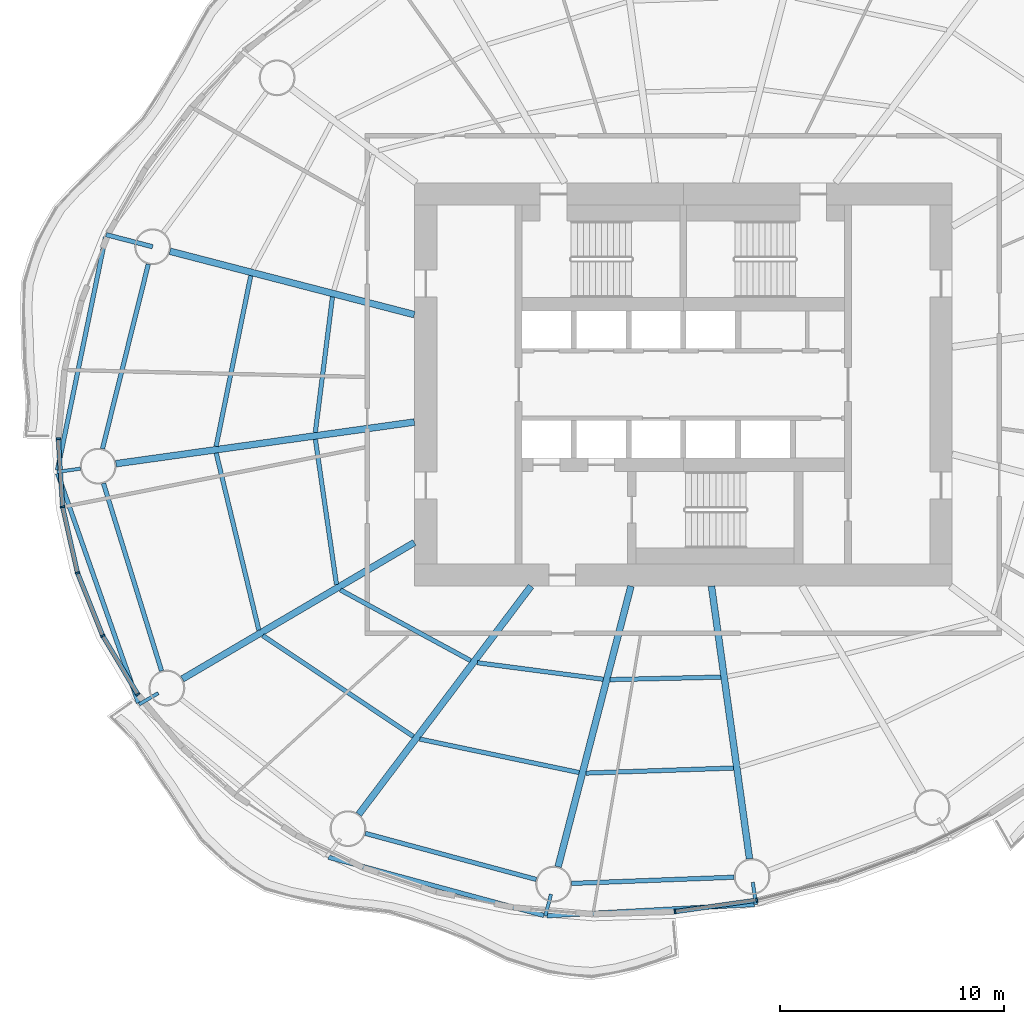
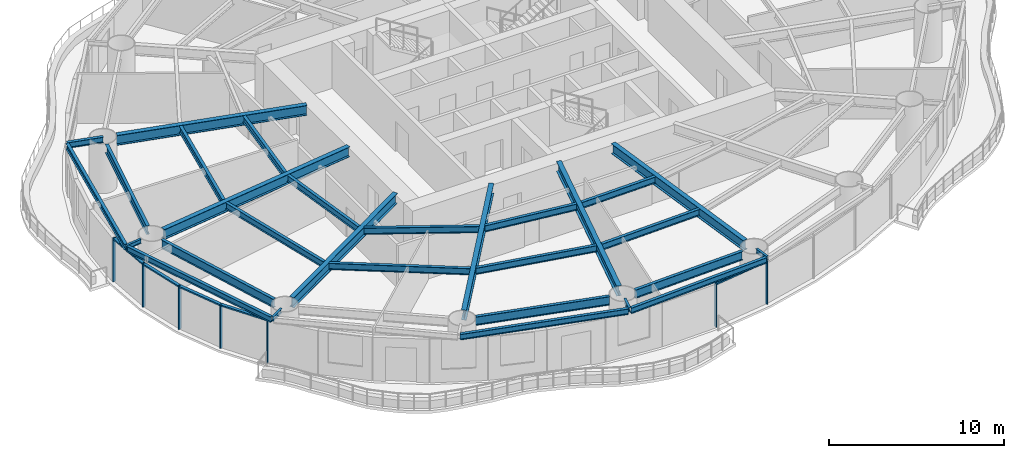
# One storey, part 2 of 16: 29 beams, 12 members, 6 elements without a shape of their own.
"""IFC4 building model written with IfcOpenShell, lengths in metres."""

from ifc_helpers import new_model, si_unit, direction, frame, origin, origin_2d, place, context, subcontext, project, spatial, rectangle, i_section, extrude, material, material_profile, profile_set, type_object, element, aggregate, save


model = new_model("IFC4")

# Units and contexts
model_context = context("Model", 3, precision=1e-05, world=origin(), true_north=direction((0.0, 1.0)))
body_context = subcontext(model_context, "Body", "Model", "MODEL_VIEW")
ifc_project = project(units=[si_unit("LENGTHUNIT", "METRE"), si_unit("AREAUNIT", "SQUARE_METRE"), si_unit("VOLUMEUNIT", "CUBIC_METRE"), si_unit("PLANEANGLEUNIT", "RADIAN"), si_unit("MASSUNIT", "GRAM", prefix="KILO")], contexts=[model_context])

# Site, building, storey
site_placement = place(None, origin())
site = spatial("IfcSite", under=ifc_project, at=site_placement, CompositionType="ELEMENT")
building_placement = place(site_placement, origin())
building = spatial("IfcBuilding", under=site, at=building_placement, Name="Vermilion Reach Broadcast Tower", CompositionType="ELEMENT")
storey_placement = place(building_placement, frame((0.0, 0.0, 103.0)))
storey = spatial("IfcBuildingStorey", under=building, at=storey_placement, Name="L23", CompositionType="ELEMENT", Elevation=103.0)

# Beams
ifc_material_1 = material(Name="Steel S355J2", Category="steel")
ifc_material_profile_1 = material_profile(ifc_material_1, i_section(OverallWidth=0.199951171875, OverallDepth=0.39990234375, WebThickness=0.008056640625, FlangeThickness=0.012939453125, at=origin_2d()), Name="S355J2 HN 400x200x8x13")
ifc_profile_set_1 = profile_set([ifc_material_profile_1], Name="Steel S355J2")
beam_type_1 = type_object("IfcBeamType", Name="EB2 HN 400x200x8x13", PredefinedType="BEAM", material=ifc_profile_set_1)
beam_1_placement = place(storey_placement, frame((-31.7783203125, 6.58740234375, 3.25), z_axis=(-0.201942572972, -0.979397364312, 0.0), x_axis=(0.979397364312, -0.201942572972, 0.0)))
element("IfcBeam", 1, at=beam_1_placement, inside=storey, type_object=beam_type_1, Name="Edge beam EB2-07", PredefinedType="BEAM", context=body_context, shape_type="SweptSolid", body=[
    extrude(i_section(OverallWidth=0.199951171875, OverallDepth=0.39990234375, WebThickness=0.008056640625, FlangeThickness=0.012939453125, at=origin_2d()), origin(), (0.0, 0.0, 1.0), 10.63037109375),
])
beam_2_placement = place(storey_placement, frame((-33.915771484375, -3.97412109375, 3.25), z_axis=(0.332178422681, -0.943216568719, 0.0), x_axis=(0.943216568719, 0.332178422681, 0.0)))
element("IfcBeam", 2, at=beam_2_placement, inside=storey, type_object=beam_type_1, Name="Edge beam EB2-08", PredefinedType="BEAM", context=body_context, shape_type="SweptSolid", body=[
    extrude(i_section(OverallWidth=0.199951171875, OverallDepth=0.39990234375, WebThickness=0.008056640625, FlangeThickness=0.012939453125, at=origin_2d()), origin(), (0.0, 0.0, 1.0), 10.847412109375),
])
beam_3_placement = place(storey_placement, frame((-21.830322265625, -21.093994140625, 3.25), z_axis=(0.965297544198, -0.261152543862, 0.0), x_axis=(0.261152543862, 0.965297544198, 0.0)))
element("IfcBeam", 3, at=beam_3_placement, inside=storey, type_object=beam_type_1, Name="Edge beam EB2-10", PredefinedType="BEAM", context=body_context, shape_type="SweptSolid", body=[
    extrude(i_section(OverallWidth=0.199951171875, OverallDepth=0.39990234375, WebThickness=0.008056640625, FlangeThickness=0.012939453125, at=origin_2d()), origin(), (0.0, 0.0, 1.0), 9.94873046875),
])
beam_4_placement = place(storey_placement, frame((-12.07568359375, -23.70751953125, 3.25), z_axis=(0.998527942842, 0.054239721281, 0.0), x_axis=(-0.054239721281, 0.998527942842, 0.0)))
element("IfcBeam", 4, at=beam_4_placement, inside=storey, type_object=beam_type_1, Name="Edge beam EB2-11", PredefinedType="BEAM", context=body_context, shape_type="SweptSolid", body=[
    extrude(i_section(OverallWidth=0.199951171875, OverallDepth=0.39990234375, WebThickness=0.008056640625, FlangeThickness=0.012939453125, at=origin_2d()), origin(), (0.0, 0.0, 1.0), 9.25439453125),
])
ifc_material_2 = material(Name="Steel S355J2", Category="steel")
ifc_material_profile_2 = material_profile(ifc_material_2, i_section(OverallWidth=0.300048828125, OverallDepth=0.699951171875, WebThickness=0.012939453125, FlangeThickness=0.02392578125, at=origin_2d()), Name="S355J2 HN 700x300x13x24")
ifc_profile_set_2 = profile_set([ifc_material_profile_2], Name="Steel S355J2")
beam_type_2 = type_object("IfcBeamType", Name="G2 HN 700x300x13x24", PredefinedType="BEAM", material=ifc_profile_set_2)
beam_5_placement = place(storey_placement, frame((-18.0, 3.114501953125, 3.10009765625), z_axis=(-0.967926079816, 0.2512351568, 0.0), x_axis=(-0.2512351568, -0.967926079816, 0.0)))
element("IfcBeam", 5, at=beam_5_placement, inside=storey, type_object=beam_type_2, Name="Girder G2-07", PredefinedType="BEAM", context=body_context, shape_type="SweptSolid", body=[
    extrude(i_section(OverallWidth=0.300048828125, OverallDepth=0.699951171875, WebThickness=0.012939453125, FlangeThickness=0.02392578125, at=origin_2d()), origin(), (0.0, 0.0, 1.0), 11.265625),
])
beam_6_placement = place(storey_placement, frame((-18.0, -1.67578125, 3.10009765625), z_axis=(-0.990389457618, -0.138306623986, 0.0), x_axis=(0.138306623986, -0.990389457618, 0.0)))
element("IfcBeam", 6, at=beam_6_placement, inside=storey, type_object=beam_type_2, Name="Girder G2-08", PredefinedType="BEAM", context=body_context, shape_type="SweptSolid", body=[
    extrude(i_section(OverallWidth=0.300048828125, OverallDepth=0.699951171875, WebThickness=0.012939453125, FlangeThickness=0.02392578125, at=origin_2d()), origin(), (0.0, 0.0, 1.0), 13.445556640625),
])
beam_7_placement = place(storey_placement, frame((-18.0, -7.054443359375, 3.10009765625), z_axis=(-0.862071616631, -0.506786471603, 0.0), x_axis=(0.506786471603, -0.862071616631, 0.0)))
element("IfcBeam", 7, at=beam_7_placement, inside=storey, type_object=beam_type_2, Name="Girder G2-09", PredefinedType="BEAM", context=body_context, shape_type="SweptSolid", body=[
    extrude(i_section(OverallWidth=0.300048828125, OverallDepth=0.699951171875, WebThickness=0.012939453125, FlangeThickness=0.02392578125, at=origin_2d()), origin(), (0.0, 0.0, 1.0), 12.01025390625),
])
beam_8_placement = place(storey_placement, frame((-12.794189453125, -9.0, 3.10009765625), z_axis=(-0.602519842365, -0.798103902733, 0.0), x_axis=(0.798103902733, -0.602519842365, 0.0)))
element("IfcBeam", 8, at=beam_8_placement, inside=storey, type_object=beam_type_2, Name="Girder G2-10", PredefinedType="BEAM", context=body_context, shape_type="SweptSolid", body=[
    extrude(i_section(OverallWidth=0.300048828125, OverallDepth=0.699951171875, WebThickness=0.012939453125, FlangeThickness=0.02392578125, at=origin_2d()), origin(), (0.0, 0.0, 1.0), 12.758544921875),
])
beam_9_placement = place(storey_placement, frame((-8.3359375, -9.0, 3.10009765625), z_axis=(-0.25121695316, -0.967930804575, 0.0), x_axis=(0.967930804575, -0.25121695316, 0.0)))
element("IfcBeam", 9, at=beam_9_placement, inside=storey, type_object=beam_type_2, Name="Girder G2-11", PredefinedType="BEAM", context=body_context, shape_type="SweptSolid", body=[
    extrude(i_section(OverallWidth=0.300048828125, OverallDepth=0.699951171875, WebThickness=0.012939453125, FlangeThickness=0.02392578125, at=origin_2d()), origin(), (0.0, 0.0, 1.0), 12.93505859375),
])
beam_10_placement = place(storey_placement, frame((-4.7431640625, -9.0, 3.10009765625), z_axis=(0.138317561234, -0.990387930184, 0.0), x_axis=(0.990387930184, 0.138317561234, 0.0)))
element("IfcBeam", 10, at=beam_10_placement, inside=storey, type_object=beam_type_2, Name="Girder G2-12", PredefinedType="BEAM", context=body_context, shape_type="SweptSolid", body=[
    extrude(i_section(OverallWidth=0.300048828125, OverallDepth=0.699951171875, WebThickness=0.012939453125, FlangeThickness=0.02392578125, at=origin_2d()), origin(), (0.0, 0.0, 1.0), 12.281494140625),
])
ifc_material_3 = material(Name="Steel S355J2", Category="steel")
ifc_material_profile_3 = material_profile(ifc_material_3, i_section(OverallWidth=0.199951171875, OverallDepth=0.39990234375, WebThickness=0.008056640625, FlangeThickness=0.012939453125, at=origin_2d()), Name="S355J2 HN 400x200x8x13")
ifc_profile_set_3 = profile_set([ifc_material_profile_3], Name="Steel S355J2")
beam_type_3 = type_object("IfcBeamType", Name="GC2 HN 400x200x8x13", PredefinedType="BEAM", material=ifc_profile_set_3)
beam_11_placement = place(storey_placement, frame((-29.6787109375, 6.145751953125, 3.25), z_axis=(-0.967917093064, 0.251269777241, 0.0), x_axis=(-0.251269777241, -0.967917093064, 0.0)))
element("IfcBeam", 11, at=beam_11_placement, inside=storey, type_object=beam_type_3, Name="Cantilever girder GC2-07", PredefinedType="BEAM", context=body_context, shape_type="SweptSolid", body=[
    extrude(i_section(OverallWidth=0.199951171875, OverallDepth=0.39990234375, WebThickness=0.008056640625, FlangeThickness=0.012939453125, at=origin_2d()), origin(), (0.0, 0.0, 1.0), 2.148193359375),
])
ifc_material_4 = material(Name="Steel S355J2", Category="steel")
ifc_material_profile_4 = material_profile(ifc_material_4, i_section(OverallWidth=0.14990234375, OverallDepth=0.300048828125, WebThickness=0.006591796875, FlangeThickness=0.009033203125, at=origin_2d()), Name="S355J2 HN 300x150x6.5x9")
ifc_profile_set_4 = profile_set([ifc_material_profile_4], Name="Steel S355J2")
beam_type_4 = type_object("IfcBeamType", Name="GS2 HN 300x150x6.5x9", PredefinedType="BEAM", material=ifc_profile_set_4)
beam_12_placement = place(storey_placement, frame((-32.901123046875, -3.7568359375, 3.300048828125), z_axis=(-0.990386386353, -0.138328614995, 0.0), x_axis=(0.138328614995, -0.990386386353, 0.0)))
element("IfcBeam", 12, at=beam_12_placement, inside=storey, type_object=beam_type_4, Name="Cantilever stub GS2-08", PredefinedType="BEAM", context=body_context, shape_type="SweptSolid", body=[
    extrude(i_section(OverallWidth=0.14990234375, OverallDepth=0.300048828125, WebThickness=0.006591796875, FlangeThickness=0.009033203125, at=origin_2d()), origin(), (0.0, 0.0, 1.0), 1.050048828125),
])
for number, where, z_axis, x_axis, name in (
    (13, (-29.425048828125, -13.770751953125, 3.300048828125), (-0.862047161964, -0.506828068037, 0.0), (0.506828068037, -0.862047161964, 0.0), "Cantilever stub GS2-09"),
    (14, (-11.903076171875, -22.743896484375, 3.300048828125), (-0.251199368006, -0.967935368459, 0.0), (0.967935368459, -0.251199368006, 0.0), "Cantilever stub GS2-11"),
):
    element("IfcBeam", number, at=place(storey_placement, frame(where, z_axis=z_axis, x_axis=x_axis)), inside=storey, type_object=beam_type_4, Name=name, PredefinedType="BEAM", context=body_context, shape_type="SweptSolid", body=[
        extrude(i_section(OverallWidth=0.14990234375, OverallDepth=0.300048828125, WebThickness=0.006591796875, FlangeThickness=0.009033203125, at=origin_2d()), origin(), (0.0, 0.0, 1.0), 1.0),
    ])
beam_13_placement = place(storey_placement, frame((-2.898193359375, -22.211181640625, 3.300048828125), z_axis=(0.138446678286, -0.990369889118, 0.0), x_axis=(0.990369889118, 0.138446678286, 0.0)))
element("IfcBeam", 15, at=beam_13_placement, inside=storey, type_object=beam_type_4, Name="Cantilever stub GS2-12", PredefinedType="BEAM", context=body_context, shape_type="SweptSolid", body=[
    extrude(i_section(OverallWidth=0.14990234375, OverallDepth=0.300048828125, WebThickness=0.006591796875, FlangeThickness=0.009033203125, at=origin_2d()), origin(), (0.0, 0.0, 1.0), 0.999755859375),
])
ifc_material_5 = material(Name="Steel S355J2", Category="steel")
ifc_material_profile_5 = material_profile(ifc_material_5, i_section(OverallWidth=0.199951171875, OverallDepth=0.60009765625, WebThickness=0.010986328125, FlangeThickness=0.01708984375, at=origin_2d()), Name="S355J2 HN 600x200x11x17")
ifc_profile_set_5 = profile_set([ifc_material_profile_5], Name="Steel S355J2")
beam_type_5 = type_object("IfcBeamType", Name="RB2 HN 600x200x11x17", PredefinedType="BEAM", material=ifc_profile_set_5)
beam_14_placement = place(storey_placement, frame((-29.871337890625, 5.369384765625, 3.14990234375), z_axis=(-0.240863809798, -0.970558924089, 0.0), x_axis=(0.970558924089, -0.240863809798, 0.0)))
element("IfcBeam", 16, at=beam_14_placement, inside=storey, type_object=beam_type_5, Name="Ring beam RB2-07", PredefinedType="BEAM", context=body_context, shape_type="SweptSolid", body=[
    extrude(i_section(OverallWidth=0.199951171875, OverallDepth=0.60009765625, WebThickness=0.010986328125, FlangeThickness=0.01708984375, at=origin_2d()), origin(), (0.0, 0.0, 1.0), 8.489013671875),
])
beam_15_placement = place(storey_placement, frame((-31.872314453125, -4.410400390625, 3.14990234375), z_axis=(0.295788439635, -0.95525347368, 0.0), x_axis=(0.95525347368, 0.295788439635, 0.0)))
element("IfcBeam", 17, at=beam_15_placement, inside=storey, type_object=beam_type_5, Name="Ring beam RB2-08", PredefinedType="BEAM", context=body_context, shape_type="SweptSolid", body=[
    extrude(i_section(OverallWidth=0.199951171875, OverallDepth=0.60009765625, WebThickness=0.010986328125, FlangeThickness=0.01708984375, at=origin_2d()), origin(), (0.0, 0.0, 1.0), 8.763916015625),
])
beam_16_placement = place(storey_placement, frame((-20.19091796875, -20.029296875, 3.14990234375), z_axis=(0.965541463834, -0.260249268234, 0.0), x_axis=(0.260249268234, 0.965541463834, 0.0)))
element("IfcBeam", 18, at=beam_16_placement, inside=storey, type_object=beam_type_5, Name="Ring beam RB2-10", PredefinedType="BEAM", context=body_context, shape_type="SweptSolid", body=[
    extrude(i_section(OverallWidth=0.199951171875, OverallDepth=0.60009765625, WebThickness=0.010986328125, FlangeThickness=0.01708984375, at=origin_2d()), origin(), (0.0, 0.0, 1.0), 7.904541015625),
])
beam_17_placement = place(storey_placement, frame((-10.987060546875, -22.263916015625, 3.14990234375), z_axis=(0.999268558327, 0.038240663418, 0.0), x_axis=(-0.038240663418, 0.999268558327, 0.0)))
element("IfcBeam", 19, at=beam_17_placement, inside=storey, type_object=beam_type_5, Name="Ring beam RB2-11", PredefinedType="BEAM", context=body_context, shape_type="SweptSolid", body=[
    extrude(i_section(OverallWidth=0.199951171875, OverallDepth=0.60009765625, WebThickness=0.010986328125, FlangeThickness=0.01708984375, at=origin_2d()), origin(), (0.0, 0.0, 1.0), 7.259033203125),
])
ifc_material_6 = material(Name="Steel S355J2", Category="steel")
ifc_material_profile_6 = material_profile(ifc_material_6, i_section(OverallWidth=0.199951171875, OverallDepth=0.449951171875, WebThickness=0.009033203125, FlangeThickness=0.013916015625, at=origin_2d()), Name="S355J2 HN 450x200x9x14")
ifc_profile_set_6 = profile_set([ifc_material_profile_6], Name="Steel S355J2")
beam_type_6 = type_object("IfcBeamType", Name="SB2 HN 450x200x9x14", PredefinedType="BEAM", material=ifc_profile_set_6)
beam_18_placement = place(storey_placement, frame((-21.65380859375, 3.907958984375, 3.22509765625), z_axis=(-0.125557241128, -0.992086376885, 0.0), x_axis=(0.992086376885, -0.125557241128, 0.0)))
element("IfcBeam", 20, at=beam_18_placement, inside=storey, type_object=beam_type_6, Name="Secondary beam SB2-07-1", PredefinedType="BEAM", context=body_context, shape_type="SweptSolid", body=[
    extrude(i_section(OverallWidth=0.199951171875, OverallDepth=0.449951171875, WebThickness=0.009033203125, FlangeThickness=0.013916015625, at=origin_2d()), origin(), (0.0, 0.0, 1.0), 6.097900390625),
])
beam_19_placement = place(storey_placement, frame((-25.29931640625, 4.854248046875, 3.22509765625), z_axis=(-0.19906416804, -0.979986457561, 0.0), x_axis=(0.979986457561, -0.19906416804, 0.0)))
element("IfcBeam", 21, at=beam_19_placement, inside=storey, type_object=beam_type_6, Name="Secondary beam SB2-07-2", PredefinedType="BEAM", context=body_context, shape_type="SweptSolid", body=[
    extrude(i_section(OverallWidth=0.199951171875, OverallDepth=0.449951171875, WebThickness=0.009033203125, FlangeThickness=0.013916015625, at=origin_2d()), origin(), (0.0, 0.0, 1.0), 7.76953125),
])
beam_20_placement = place(storey_placement, frame((-22.417236328125, -2.444091796875, 3.22509765625), z_axis=(0.143973706518, -0.989581513485, 0.0), x_axis=(0.989581513485, 0.143973706518, 0.0)))
element("IfcBeam", 22, at=beam_20_placement, inside=storey, type_object=beam_type_6, Name="Secondary beam SB2-08-1", PredefinedType="BEAM", context=body_context, shape_type="SweptSolid", body=[
    extrude(i_section(OverallWidth=0.199951171875, OverallDepth=0.449951171875, WebThickness=0.009033203125, FlangeThickness=0.013916015625, at=origin_2d()), origin(), (0.0, 0.0, 1.0), 6.547119140625),
])
beam_21_placement = place(storey_placement, frame((-26.84228515625, -3.06201171875, 3.22509765625), z_axis=(0.234260568382, -0.972173845617, 0.0), x_axis=(0.972173845617, 0.234260568382, 0.0)))
element("IfcBeam", 23, at=beam_21_placement, inside=storey, type_object=beam_type_6, Name="Secondary beam SB2-08-2", PredefinedType="BEAM", context=body_context, shape_type="SweptSolid", body=[
    extrude(i_section(OverallWidth=0.199951171875, OverallDepth=0.449951171875, WebThickness=0.009033203125, FlangeThickness=0.013916015625, at=origin_2d()), origin(), (0.0, 0.0, 1.0), 8.123779296875),
])
beam_22_placement = place(storey_placement, frame((-21.29736328125, -9.1669921875, 3.22509765625), z_axis=(0.878713106774, -0.477350265512, 0.0), x_axis=(0.477350265512, 0.878713106774, 0.0)))
element("IfcBeam", 24, at=beam_22_placement, inside=storey, type_object=beam_type_6, Name="Secondary beam SB2-09-1", PredefinedType="BEAM", context=body_context, shape_type="SweptSolid", body=[
    extrude(i_section(OverallWidth=0.199951171875, OverallDepth=0.449951171875, WebThickness=0.009033203125, FlangeThickness=0.013916015625, at=origin_2d()), origin(), (0.0, 0.0, 1.0), 6.60888671875),
])
beam_23_placement = place(storey_placement, frame((-24.76416015625, -11.204833984375, 3.22509765625), z_axis=(0.830915400975, -0.556398774641, 0.0), x_axis=(0.556398774641, 0.830915400975, 0.0)))
element("IfcBeam", 25, at=beam_23_placement, inside=storey, type_object=beam_type_6, Name="Secondary beam SB2-09-2", PredefinedType="BEAM", context=body_context, shape_type="SweptSolid", body=[
    extrude(i_section(OverallWidth=0.199951171875, OverallDepth=0.449951171875, WebThickness=0.009033203125, FlangeThickness=0.013916015625, at=origin_2d()), origin(), (0.0, 0.0, 1.0), 8.087646484375),
])
beam_24_placement = place(storey_placement, frame((-15.185546875, -12.416748046875, 3.22509765625), z_axis=(0.991498686864, -0.130116693573, 0.0), x_axis=(0.130116693573, 0.991498686864, 0.0)))
element("IfcBeam", 26, at=beam_24_placement, inside=storey, type_object=beam_type_6, Name="Secondary beam SB2-10-1", PredefinedType="BEAM", context=body_context, shape_type="SweptSolid", body=[
    extrude(i_section(OverallWidth=0.199951171875, OverallDepth=0.449951171875, WebThickness=0.009033203125, FlangeThickness=0.013916015625, at=origin_2d()), origin(), (0.0, 0.0, 1.0), 5.66455078125),
])
beam_25_placement = place(storey_placement, frame((-17.7568359375, -15.822509765625, 3.22509765625), z_axis=(0.978631382549, -0.205622511148, 0.0), x_axis=(0.205622511148, 0.978631382549, 0.0)))
element("IfcBeam", 27, at=beam_25_placement, inside=storey, type_object=beam_type_6, Name="Secondary beam SB2-10-2", PredefinedType="BEAM", context=body_context, shape_type="SweptSolid", body=[
    extrude(i_section(OverallWidth=0.199951171875, OverallDepth=0.449951171875, WebThickness=0.009033203125, FlangeThickness=0.013916015625, at=origin_2d()), origin(), (0.0, 0.0, 1.0), 7.262939453125),
])
beam_26_placement = place(storey_placement, frame((-9.26318359375, -13.169921875, 3.22509765625), z_axis=(0.999742320425, 0.022700060602, 0.0), x_axis=(-0.022700060602, 0.999742320425, 0.0)))
element("IfcBeam", 28, at=beam_26_placement, inside=storey, type_object=beam_type_6, Name="Secondary beam SB2-11-1", PredefinedType="BEAM", context=body_context, shape_type="SweptSolid", body=[
    extrude(i_section(OverallWidth=0.199951171875, OverallDepth=0.449951171875, WebThickness=0.009033203125, FlangeThickness=0.013916015625, at=origin_2d()), origin(), (0.0, 0.0, 1.0), 4.9365234375),
])
beam_27_placement = place(storey_placement, frame((-10.345947265625, -17.34130859375, 3.22509765625), z_axis=(0.999404722387, 0.03449928797, 0.0), x_axis=(-0.03449928797, 0.999404722387, 0.0)))
element("IfcBeam", 29, at=beam_27_placement, inside=storey, type_object=beam_type_6, Name="Secondary beam SB2-11-2", PredefinedType="BEAM", context=body_context, shape_type="SweptSolid", body=[
    extrude(i_section(OverallWidth=0.199951171875, OverallDepth=0.449951171875, WebThickness=0.009033203125, FlangeThickness=0.013916015625, at=origin_2d()), origin(), (0.0, 0.0, 1.0), 6.58837890625),
])

# Curtain wall, member
ifc_material_7 = material(Name="Low-e laminated clear glass in aluminium frame", Category="aluminium")
curtain_wall_type = type_object("IfcCurtainWallType", Name="Slot curtain wall", PredefinedType="NOTDEFINED", material=ifc_material_7)
placement = place(storey_placement, origin())
curtain_wall_1 = element("IfcCurtainWall", 30, at=placement, inside=storey, type_object=curtain_wall_type, Name="Slot curtain wall L23 22", PredefinedType="NOTDEFINED")
ifc_material_8 = material(Name="Anodised aluminium", Category="aluminium")
ifc_material_profile_7 = material_profile(ifc_material_8, rectangle(XDim=0.199951171875, YDim=0.080078125, at=origin_2d()), Name="Slot mullion 80 x 200")
ifc_profile_set_7 = profile_set([ifc_material_profile_7], Name="Anodised aluminium")
member_type_1 = type_object("IfcMemberType", Name="Slot mullion 80 x 200", PredefinedType="MULLION", material=ifc_profile_set_7)
member_1_placement = place(storey_placement, frame((-33.888671875, -2.4189453125, 0.0), z_axis=(0.0, 0.0, 1.0), x_axis=(0.999904119427, -0.013847452963, 0.0)))
member_1 = element("IfcMember", 31, at=member_1_placement, type_object=member_type_1, Name="Slot mullion L23 22", PredefinedType="MULLION", context=body_context, shape_type="SweptSolid", body=[
    extrude(rectangle(XDim=0.199951171875, YDim=0.080078125, at=origin_2d()), origin(), (0.0, 0.0, 1.0), 3.050048828125),
])

curtain_wall_2 = element("IfcCurtainWall", 32, at=placement, inside=storey, type_object=curtain_wall_type, Name="Slot curtain wall L23 23", PredefinedType="NOTDEFINED")
member_2_placement = place(storey_placement, frame((-33.6953125, -5.460693359375, 0.0), z_axis=(0.0, 0.0, 1.0), x_axis=(0.989847979993, 0.142130139325, 0.0)))
member_2 = element("IfcMember", 33, at=member_2_placement, type_object=member_type_1, Name="Slot mullion L23 23", PredefinedType="MULLION", context=body_context, shape_type="SweptSolid", body=[
    extrude(rectangle(XDim=0.199951171875, YDim=0.080078125, at=origin_2d()), origin(), (0.0, 0.0, 1.0), 3.050048828125),
])

curtain_wall_3 = element("IfcCurtainWall", 34, at=placement, inside=storey, type_object=curtain_wall_type, Name="Slot curtain wall L23 24", PredefinedType="NOTDEFINED")
member_3_placement = place(storey_placement, frame((-33.030517578125, -8.40869140625, 0.0), z_axis=(0.0, 0.0, 1.0), x_axis=(0.954864549775, 0.297041565411, 0.0)))
member_3 = element("IfcMember", 35, at=member_3_placement, type_object=member_type_1, Name="Slot mullion L23 24", PredefinedType="MULLION", context=body_context, shape_type="SweptSolid", body=[
    extrude(rectangle(XDim=0.199951171875, YDim=0.080078125, at=origin_2d()), origin(), (0.0, 0.0, 1.0), 3.050048828125),
])

# Curtain wall, members
curtain_wall_4 = element("IfcCurtainWall", 36, at=placement, inside=storey, type_object=curtain_wall_type, Name="Slot curtain wall L23 25", PredefinedType="NOTDEFINED")
member_4_placement = place(storey_placement, frame((-31.90576171875, -11.213623046875, 0.0), z_axis=(0.0, 0.0, 1.0), x_axis=(0.895798127321, 0.444461151383, 0.0)))
member_4 = element("IfcMember", 37, at=member_4_placement, type_object=member_type_1, Name="Slot mullion L23 25", PredefinedType="MULLION", context=body_context, shape_type="SweptSolid", body=[
    extrude(rectangle(XDim=0.199951171875, YDim=0.080078125, at=origin_2d()), origin(), (0.0, 0.0, 1.0), 3.050048828125),
])
member_5_placement = place(storey_placement, frame((-30.33935546875, -13.828125, 0.0), z_axis=(0.0, 0.0, 1.0), x_axis=(0.815598410446, 0.578618382768, 0.0)))
member_5 = element("IfcMember", 38, at=member_5_placement, type_object=member_type_1, Name="Slot mullion L23 26", PredefinedType="MULLION", context=body_context, shape_type="SweptSolid", body=[
    extrude(rectangle(XDim=0.199951171875, YDim=0.080078125, at=origin_2d()), origin(), (0.0, 0.0, 1.0), 3.050048828125),
])

# Curtain wall, member
curtain_wall_5 = element("IfcCurtainWall", 39, at=placement, inside=storey, type_object=curtain_wall_type, Name="Slot curtain wall L23 34", PredefinedType="NOTDEFINED")
member_6_placement = place(storey_placement, frame((-6.36962890625, -23.522705078125, 0.0), z_axis=(0.0, 0.0, 1.0), x_axis=(-0.085051697822, 0.996376539616, 0.0)))
member_6 = element("IfcMember", 40, at=member_6_placement, type_object=member_type_1, Name="Slot mullion L23 34", PredefinedType="MULLION", context=body_context, shape_type="SweptSolid", body=[
    extrude(rectangle(XDim=0.199951171875, YDim=0.080078125, at=origin_2d()), origin(), (0.0, 0.0, 1.0), 3.050048828125),
])

curtain_wall_6 = element("IfcCurtainWall", 41, at=placement, inside=storey, type_object=curtain_wall_type, Name="Slot curtain wall L23 35", PredefinedType="NOTDEFINED")
member_7_placement = place(storey_placement, frame((-2.719482421875, -23.008056640625, 0.0), z_axis=(0.0, 0.0, 1.0), x_axis=(-0.192762848087, 0.981245374204, 0.0)))
member_7 = element("IfcMember", 42, at=member_7_placement, type_object=member_type_1, Name="Slot mullion L23 35", PredefinedType="MULLION", context=body_context, shape_type="SweptSolid", body=[
    extrude(rectangle(XDim=0.199951171875, YDim=0.080078125, at=origin_2d()), origin(), (0.0, 0.0, 1.0), 3.050048828125),
])
aggregate(curtain_wall_6, [member_7])

# Member
ifc_material_9 = material(Name="Anodised aluminium", Category="aluminium")
ifc_material_profile_8 = material_profile(ifc_material_9, rectangle(XDim=0.199951171875, YDim=0.10009765625, at=origin_2d()), Name="Slot transom 200 x 100")
ifc_profile_set_8 = profile_set([ifc_material_profile_8], Name="Anodised aluminium")
member_type_2 = type_object("IfcMemberType", Name="Slot transom 200 x 100", PredefinedType="USERDEFINED", material=ifc_profile_set_8)
member_8_placement = place(storey_placement, frame((-33.885986328125, -2.458984375, 3.0), z_axis=(0.063341064354, -0.997991938628, 0.0), x_axis=(0.997991938628, 0.063341064354, 0.0)))
member_8 = element("IfcMember", 43, at=member_8_placement, type_object=member_type_2, Name="Slot transom L23 22.1", ObjectType="TRANSOM", PredefinedType="USERDEFINED", context=body_context, shape_type="SweptSolid", body=[
    extrude(rectangle(XDim=0.199951171875, YDim=0.10009765625, at=origin_2d()), origin(), (0.0, 0.0, 1.0), 2.9677734375),
])

aggregate(curtain_wall_1, [member_1, member_8])

member_9_placement = place(storey_placement, frame((-33.6865234375, -5.499755859375, 3.0), z_axis=(0.219916993516, -0.97551858822, 0.0), x_axis=(0.97551858822, 0.219916993516, 0.0)))
member_9 = element("IfcMember", 44, at=member_9_placement, type_object=member_type_2, Name="Slot transom L23 23.1", ObjectType="TRANSOM", PredefinedType="USERDEFINED", context=body_context, shape_type="SweptSolid", body=[
    extrude(rectangle(XDim=0.199951171875, YDim=0.10009765625, at=origin_2d()), origin(), (0.0, 0.0, 1.0), 2.94189453125),
])

aggregate(curtain_wall_2, [member_2, member_9])

member_10_placement = place(storey_placement, frame((-33.015625, -8.44580078125, 3.0), z_axis=(0.372177447965, -0.928161595427, 0.0), x_axis=(0.928161595427, 0.372177447965, 0.0)))
member_10 = element("IfcMember", 45, at=member_10_placement, type_object=member_type_2, Name="Slot transom L23 24.1", ObjectType="TRANSOM", PredefinedType="USERDEFINED", context=body_context, shape_type="SweptSolid", body=[
    extrude(rectangle(XDim=0.199951171875, YDim=0.10009765625, at=origin_2d()), origin(), (0.0, 0.0, 1.0), 2.942138671875),
])

aggregate(curtain_wall_3, [member_3, member_10])

member_11_placement = place(storey_placement, frame((-31.88525390625, -11.247802734375, 3.0), z_axis=(0.513927117489, -0.857833852159, 0.0), x_axis=(0.857833852159, 0.513927117489, 0.0)))
member_11 = element("IfcMember", 46, at=member_11_placement, type_object=member_type_2, Name="Slot transom L23 25.1", ObjectType="TRANSOM", PredefinedType="USERDEFINED", context=body_context, shape_type="SweptSolid", body=[
    extrude(rectangle(XDim=0.199951171875, YDim=0.10009765625, at=origin_2d()), origin(), (0.0, 0.0, 1.0), 2.968017578125),
])

aggregate(curtain_wall_4, [member_4, member_5, member_11])

member_12_placement = place(storey_placement, frame((-6.329833984375, -23.51708984375, 3.0), z_axis=(0.990207796209, 0.139601290564, 0.0), x_axis=(-0.139601290564, 0.990207796209, 0.0)))
member_12 = element("IfcMember", 47, at=member_12_placement, type_object=member_type_2, Name="Slot transom L23 34.1", ObjectType="TRANSOM", PredefinedType="USERDEFINED", context=body_context, shape_type="SweptSolid", body=[
    extrude(rectangle(XDim=0.199951171875, YDim=0.10009765625, at=origin_2d()), origin(), (0.0, 0.0, 1.0), 3.606201171875),
])

aggregate(curtain_wall_5, [member_6, member_12])

save(model, "model.ifc")
